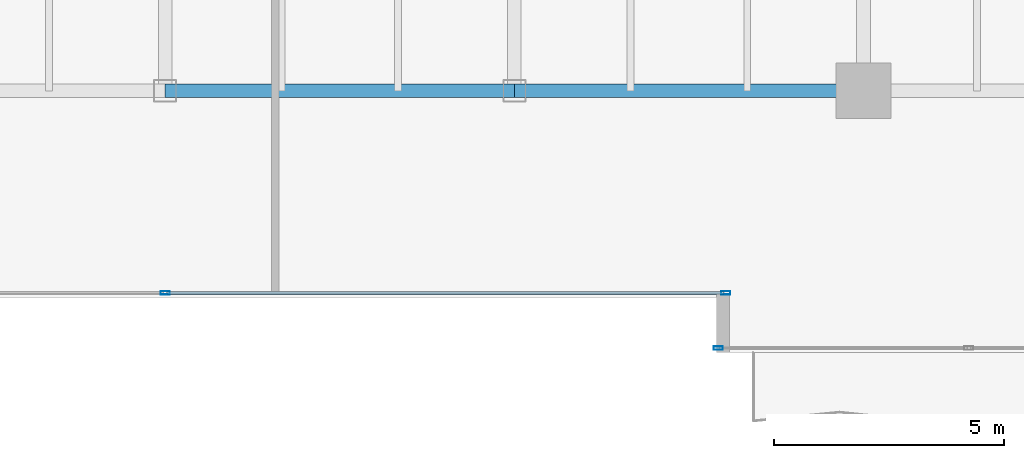
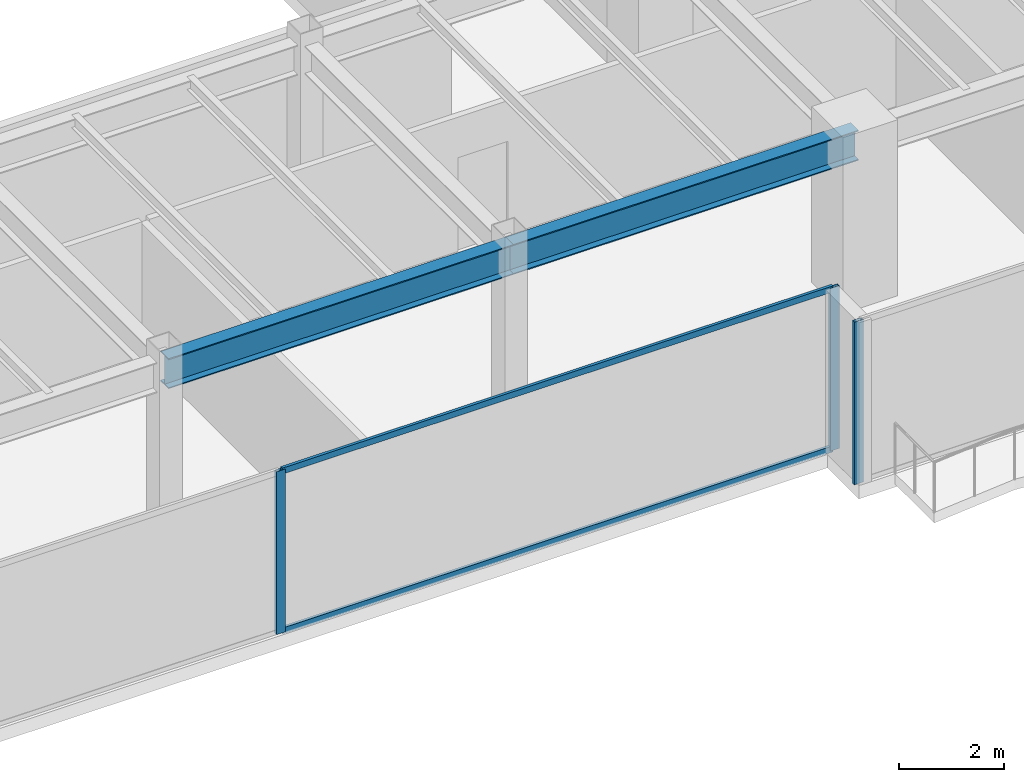
# One storey, part 8 of 30: 5 members, 2 beams, 2 elements without a shape of their own.
"""IFC4 building model written with IfcOpenShell, lengths in metres."""

from ifc_helpers import new_model, si_unit, direction, frame, origin, origin_2d, place, context, subcontext, project, spatial, hollow_rectangle, i_section, extrude, source, transform, mapped, material, layer, layer_set, material_profile, profile_set, type_object, type_shapes, element, aggregate, save


model = new_model("IFC4")

# Units and contexts
model_context = context("Model", 3, precision=1e-05, world=origin(), true_north=direction((0.0, 1.0)))
body_context = subcontext(model_context, "Body", "Model", "MODEL_VIEW")
ifc_project = project(units=[si_unit("LENGTHUNIT", "METRE"), si_unit("AREAUNIT", "SQUARE_METRE"), si_unit("VOLUMEUNIT", "CUBIC_METRE"), si_unit("PLANEANGLEUNIT", "RADIAN"), si_unit("MASSUNIT", "GRAM", prefix="KILO")], contexts=[model_context])

# Site, building, storey
site_placement = place(None, origin())
site = spatial("IfcSite", under=ifc_project, at=site_placement, CompositionType="ELEMENT")
building_placement = place(site_placement, origin())
building = spatial("IfcBuilding", under=site, at=building_placement, Name="Haelvirn Gate Laboratories", CompositionType="ELEMENT")
storey_placement = place(building_placement, frame((0.0, 0.0, 113.300048828125)))
storey = spatial("IfcBuildingStorey", under=building, at=storey_placement, Name="L27", CompositionType="ELEMENT", Elevation=113.300048828125)

# Beams
ifc_material_1 = material(Name="Steel SM355", Category="steel")
ifc_material_profile_1 = material_profile(ifc_material_1, i_section(OverallWidth=0.300048828125, OverallDepth=0.699951171875, WebThickness=0.012939453125, FlangeThickness=0.02392578125, at=origin_2d()), Name="H-700x300x13x24")
ifc_profile_set_1 = profile_set([ifc_material_profile_1], Name="Steel SM355")
beam_type = type_object("IfcBeamType", Name="BM-G-700", PredefinedType="BEAM", material=ifc_profile_set_1)
shared_shape_1 = source(origin(), body_context, "Body", "SweptSolid", [
    extrude(i_section(OverallWidth=0.300048828125, OverallDepth=0.699951171875, WebThickness=0.012939453125, FlangeThickness=0.02392578125, at=origin_2d()), origin(), (0.0, 0.0, 1.0), 7.60009765625),
])
type_shapes(beam_type, [shared_shape_1])
for number, where, z_axis, x_axis, name in (
    (1, (37.39990234375, 7.0, 3.43994140625), (1.0, 0.0, 0.0), (0.0, 1.0, 0.0), "L27 Primary Girder Y7.0 (37.4-45.0)"),
    (2, (45.0, 7.0, 3.43994140625), (1.0, 0.0, 0.0), (0.0, 1.0, 0.0), "L27 Primary Girder Y7.0 (45.0-52.6)"),
):
    element("IfcBeam", number, at=place(storey_placement, frame(where, z_axis=z_axis, x_axis=x_axis)), inside=storey, type_object=beam_type, Name=name, PredefinedType="BEAM", context=body_context, shape_type="MappedRepresentation", body=[
        mapped(shared_shape_1, transform((0.0, 0.0, 0.0), scale=1.0)),
    ])

# Curtain wall, members
ifc_material_2 = material(Name="Anodised bronze unitised aluminium & triple low-E glass", Category="aluminium")
ifc_layer = layer(ifc_material_2, 0.179931640625, Name="CW-SYS-3")
ifc_layer_set = layer_set([ifc_layer], Name="Anodised bronze unitised aluminium & triple low-E glass")
curtain_wall_type = type_object("IfcCurtainWallType", Name="CW-SYS-3", PredefinedType="NOTDEFINED", material=ifc_layer_set)
curtain_wall_1_placement = place(storey_placement, origin())
curtain_wall_1 = element("IfcCurtainWall", 3, at=curtain_wall_1_placement, inside=storey, type_object=curtain_wall_type, Name="L27 Unitised Curtain Wall CW-L27-P0-E02-1", PredefinedType="NOTDEFINED")
ifc_material_3 = material(Name="Extruded aluminium 6063-T6 (anodised bronze)", Category="aluminium")
ifc_material_profile_2 = material_profile(ifc_material_3, hollow_rectangle(XDim=0.06494140625, YDim=0.139892578125, WallThickness=0.00390625, at=origin_2d()), Name="CWT-140x65x4")
ifc_profile_set_2 = profile_set([ifc_material_profile_2], Name="Extruded aluminium 6063-T6 (anodised bronze)")
member_type_1 = type_object("IfcMemberType", Name="CWT-T140", PredefinedType="USERDEFINED", material=ifc_profile_set_2)
shared_shape_2 = source(origin(), body_context, "Body", "SweptSolid", [
    extrude(hollow_rectangle(XDim=0.06494140625, YDim=0.139892578125, WallThickness=0.00390625, at=origin_2d()), origin(), (0.0, 0.0, 1.0), 12.12744140625),
])
type_shapes(member_type_1, [shared_shape_2])
member_1_placement = place(storey_placement, frame((37.4375, 2.60009765625, 0.032470703125), z_axis=(1.0, 0.0, 0.0), x_axis=(0.0, 1.0, 0.0)))
member_1 = element("IfcMember", 4, at=member_1_placement, type_object=member_type_1, Name="CW3 transom 2.1", ObjectType="TRANSOM", PredefinedType="USERDEFINED", context=body_context, shape_type="MappedRepresentation", body=[
    mapped(shared_shape_2, transform((0.0, 0.0, 0.0), scale=1.0)),
])
member_2_placement = place(storey_placement, frame((37.4375, 2.60009765625, 3.757568359375), z_axis=(1.0, 0.0, 0.0), x_axis=(0.0, 1.0, 0.0)))
member_2 = element("IfcMember", 5, at=member_2_placement, type_object=member_type_1, Name="CW3 transom 2.2", ObjectType="TRANSOM", PredefinedType="USERDEFINED", context=body_context, shape_type="MappedRepresentation", body=[
    mapped(shared_shape_2, transform((0.0, 0.0, 0.0), scale=1.0)),
])
ifc_material_profile_3 = material_profile(ifc_material_3, hollow_rectangle(XDim=0.074951171875, YDim=0.199951171875, WallThickness=0.0048828125, at=origin_2d()), Name="CWM-200x75x5")
ifc_profile_set_3 = profile_set([ifc_material_profile_3], Name="Extruded aluminium 6063-T6 (anodised bronze)")
member_type_2 = type_object("IfcMemberType", Name="CWM-T200", PredefinedType="MULLION", material=ifc_profile_set_3)
shared_shape_3 = source(origin(), body_context, "Body", "SweptSolid", [
    extrude(hollow_rectangle(XDim=0.074951171875, YDim=0.199951171875, WallThickness=0.0048828125, at=origin_2d()), origin(), (0.0, 0.0, 1.0), 3.7900390625),
])
type_shapes(member_type_2, [shared_shape_3])
member_3_placement = place(storey_placement, frame((37.39990234375, 2.60009765625, 0.0), z_axis=(0.0, 0.0, 1.0), x_axis=(0.0, 1.0, 0.0)))
member_3 = element("IfcMember", 6, at=member_3_placement, type_object=member_type_2, Name="CW3 mullion 2", PredefinedType="MULLION", context=body_context, shape_type="MappedRepresentation", body=[
    mapped(shared_shape_3, transform((0.0, 0.0, 0.0), scale=1.0)),
])
member_4_placement = place(storey_placement, frame((49.6025390625, 2.60009765625, 0.0), z_axis=(0.0, 0.0, 1.0), x_axis=(0.0, 1.0, 0.0)))
member_4 = element("IfcMember", 7, at=member_4_placement, type_object=member_type_2, Name="CW3 mullion 3", PredefinedType="MULLION", context=body_context, shape_type="MappedRepresentation", body=[
    mapped(shared_shape_3, transform((0.0, 0.0, 0.0), scale=1.0)),
])
aggregate(curtain_wall_1, [member_3, member_4, member_1, member_2])

# Curtain wall, member
curtain_wall_2_placement = place(storey_placement, origin())
curtain_wall_2 = element("IfcCurtainWall", 8, at=curtain_wall_2_placement, inside=storey, type_object=curtain_wall_type, Name="L27 Unitised Curtain Wall CW-L27-P0-E04-1", PredefinedType="NOTDEFINED")
member_5_placement = place(storey_placement, frame((49.4375, 1.39990234375, 0.0), z_axis=(0.0, 0.0, 1.0), x_axis=(0.0, 1.0, 0.0)))
member_5 = element("IfcMember", 9, at=member_5_placement, type_object=member_type_2, Name="CW3 mullion 1", PredefinedType="MULLION", context=body_context, shape_type="MappedRepresentation", body=[
    mapped(shared_shape_3, transform((0.0, 0.0, 0.0), scale=1.0)),
])
aggregate(curtain_wall_2, [member_5])

save(model, "model.ifc")
